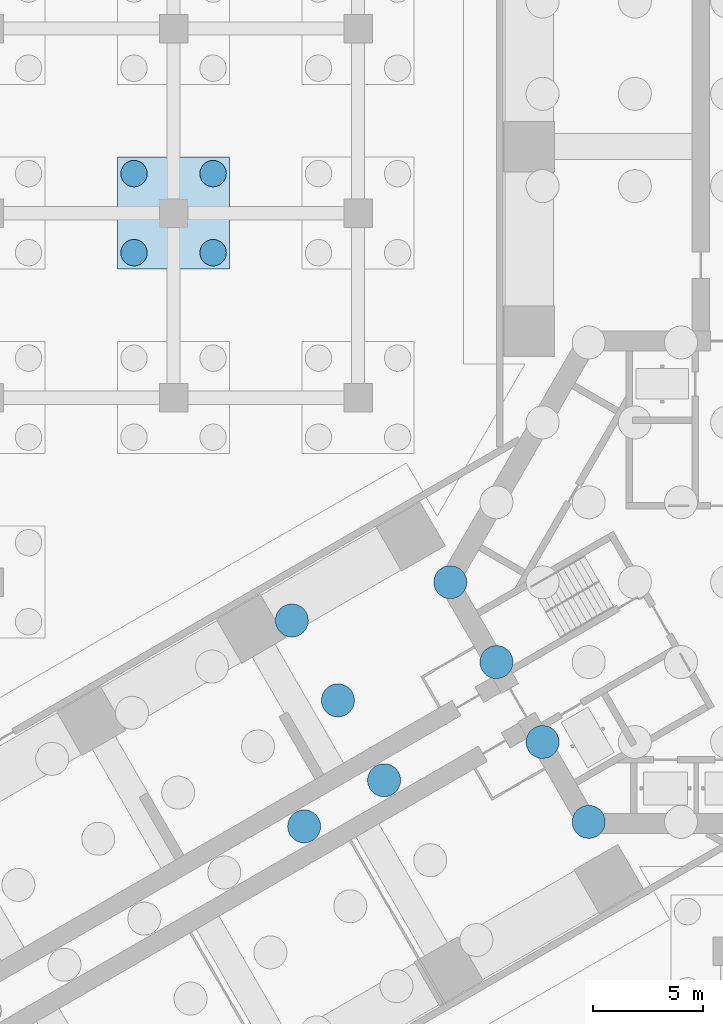
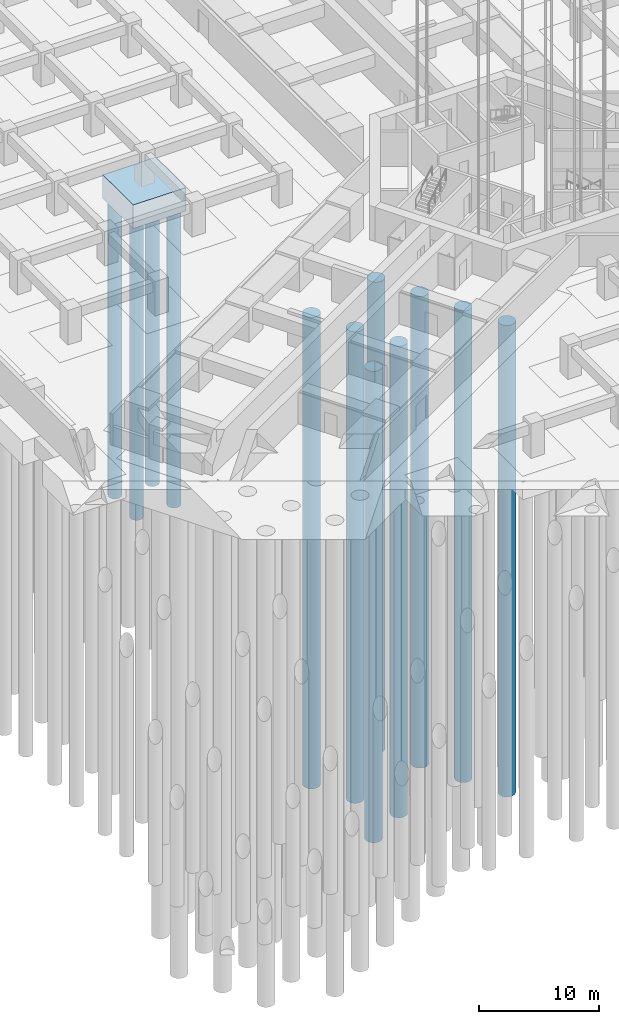
# One storey, part 15 of 73: 12 piles, 1 footing.
"""IFC4 building model written with IfcOpenShell, lengths in metres."""

from ifc_helpers import new_model, si_unit, direction, frame, origin, origin_2d, place, context, subcontext, project, spatial, polyline, circle, outline, extrude, material, material_profile, profile_set, type_object, element, save


model = new_model("IFC4")

# Units and contexts
model_context = context("Model", 3, precision=1e-05, world=origin(), true_north=direction((0.0, 1.0)))
body_context = subcontext(model_context, "Body", "Model", "MODEL_VIEW")
ifc_project = project(units=[si_unit("LENGTHUNIT", "METRE"), si_unit("AREAUNIT", "SQUARE_METRE"), si_unit("VOLUMEUNIT", "CUBIC_METRE"), si_unit("PLANEANGLEUNIT", "RADIAN"), si_unit("MASSUNIT", "GRAM", prefix="KILO")], contexts=[model_context])

# Site, building, storey
site_placement = place(None, origin())
site = spatial("IfcSite", under=ifc_project, at=site_placement, CompositionType="ELEMENT")
building_placement = place(site_placement, origin())
building = spatial("IfcBuilding", under=site, at=building_placement, Name="Impinga Residences", CompositionType="ELEMENT")
storey_placement = place(building_placement, frame((0.0, 0.0, -10.5)))
storey = spatial("IfcBuildingStorey", under=building, at=storey_placement, Name="B3", CompositionType="ELEMENT", Elevation=-10.5)

# Piles
ifc_material_1 = material(Name="Concrete C35/45", Category="concrete")
ifc_material_profile_1 = material_profile(ifc_material_1, circle(Radius=0.75, at=origin_2d()), Name="D1500")
ifc_profile_set_1 = profile_set([ifc_material_profile_1], Name="Concrete C35/45")
pile_type_1 = type_object("IfcPileType", Name="BP1 bored pile D1500", PredefinedType="BORED", material=ifc_profile_set_1)
pile_1_placement = place(storey_placement, frame((-19.253173828125, -11.11572265625, -4.0), z_axis=(0.0, 0.0, -1.0), x_axis=(1.0, 0.0, 0.0)))
element("IfcPile", 1, at=pile_1_placement, inside=storey, type_object=pile_type_1, Name="Raft pile BP1-057", PredefinedType="BORED", context=body_context, shape_type="SweptSolid", body=[
    extrude(outline(polyline([(0.75, 0.0), (0.746337890625, 0.073486328125), (0.735595703125, 0.146240234375), (0.7177734375, 0.2177734375), (0.69287109375, 0.287109375), (0.661376953125, 0.353515625), (0.62353515625, 0.416748046875), (0.579833984375, 0.475830078125), (0.5302734375, 0.5302734375), (0.475830078125, 0.579833984375), (0.416748046875, 0.62353515625), (0.353515625, 0.661376953125), (0.287109375, 0.69287109375), (0.2177734375, 0.7177734375), (0.146240234375, 0.735595703125), (0.073486328125, 0.746337890625), (0.0, 0.75), (-0.073486328125, 0.746337890625), (-0.146240234375, 0.735595703125), (-0.2177734375, 0.7177734375), (-0.287109375, 0.69287109375), (-0.353515625, 0.661376953125), (-0.416748046875, 0.62353515625), (-0.475830078125, 0.579833984375), (-0.5302734375, 0.5302734375), (-0.579833984375, 0.475830078125), (-0.62353515625, 0.416748046875), (-0.661376953125, 0.353515625), (-0.69287109375, 0.287109375), (-0.7177734375, 0.2177734375), (-0.735595703125, 0.146240234375), (-0.746337890625, 0.073486328125), (-0.75, 0.0), (-0.746337890625, -0.073486328125), (-0.735595703125, -0.146240234375), (-0.7177734375, -0.2177734375), (-0.69287109375, -0.287109375), (-0.661376953125, -0.353515625), (-0.62353515625, -0.416748046875), (-0.579833984375, -0.475830078125), (-0.5302734375, -0.5302734375), (-0.475830078125, -0.579833984375), (-0.416748046875, -0.62353515625), (-0.353515625, -0.661376953125), (-0.287109375, -0.69287109375), (-0.2177734375, -0.7177734375), (-0.146240234375, -0.735595703125), (-0.073486328125, -0.746337890625), (0.0, -0.75), (0.073486328125, -0.746337890625), (0.146240234375, -0.735595703125), (0.2177734375, -0.7177734375), (0.287109375, -0.69287109375), (0.353515625, -0.661376953125), (0.416748046875, -0.62353515625), (0.475830078125, -0.579833984375), (0.5302734375, -0.5302734375), (0.579833984375, -0.475830078125), (0.62353515625, -0.416748046875), (0.661376953125, -0.353515625), (0.69287109375, -0.287109375), (0.7177734375, -0.2177734375), (0.735595703125, -0.146240234375), (0.746337890625, -0.073486328125), (0.75, 0.0)])), origin(), (0.0, 0.0, 1.0), 48.0),
])
pile_2_placement = place(storey_placement, frame((-6.300048828125, -10.911865234375, -4.0), z_axis=(0.0, 0.0, -1.0), x_axis=(1.0, 0.0, 0.0)))
element("IfcPile", 2, at=pile_2_placement, inside=storey, type_object=pile_type_1, Name="Raft pile BP1-059", PredefinedType="BORED", context=body_context, shape_type="SweptSolid", body=[
    extrude(outline(polyline([(0.75, 0.0), (0.746337890625, 0.073486328125), (0.735595703125, 0.146240234375), (0.7177734375, 0.2177734375), (0.69287109375, 0.287109375), (0.661376953125, 0.353515625), (0.62353515625, 0.416748046875), (0.579833984375, 0.475830078125), (0.5302734375, 0.5302734375), (0.475830078125, 0.579833984375), (0.416748046875, 0.62353515625), (0.353515625, 0.661376953125), (0.287109375, 0.69287109375), (0.2177734375, 0.7177734375), (0.146240234375, 0.735595703125), (0.073486328125, 0.746337890625), (0.0, 0.75), (-0.073486328125, 0.746337890625), (-0.146240234375, 0.735595703125), (-0.2177734375, 0.7177734375), (-0.287109375, 0.69287109375), (-0.353515625, 0.661376953125), (-0.416748046875, 0.62353515625), (-0.475830078125, 0.579833984375), (-0.5302734375, 0.5302734375), (-0.579833984375, 0.475830078125), (-0.62353515625, 0.416748046875), (-0.661376953125, 0.353515625), (-0.69287109375, 0.287109375), (-0.7177734375, 0.2177734375), (-0.735595703125, 0.146240234375), (-0.746337890625, 0.073486328125), (-0.75, 0.0), (-0.746337890625, -0.073486328125), (-0.735595703125, -0.146240234375), (-0.7177734375, -0.2177734375), (-0.69287109375, -0.287109375), (-0.661376953125, -0.353515625), (-0.62353515625, -0.416748046875), (-0.579833984375, -0.475830078125), (-0.5302734375, -0.5302734375), (-0.475830078125, -0.579833984375), (-0.416748046875, -0.62353515625), (-0.353515625, -0.661376953125), (-0.287109375, -0.69287109375), (-0.2177734375, -0.7177734375), (-0.146240234375, -0.735595703125), (-0.073486328125, -0.746337890625), (0.0, -0.75), (0.073486328125, -0.746337890625), (0.146240234375, -0.735595703125), (0.2177734375, -0.7177734375), (0.287109375, -0.69287109375), (0.353515625, -0.661376953125), (0.416748046875, -0.62353515625), (0.475830078125, -0.579833984375), (0.5302734375, -0.5302734375), (0.579833984375, -0.475830078125), (0.62353515625, -0.416748046875), (0.661376953125, -0.353515625), (0.69287109375, -0.287109375), (0.7177734375, -0.2177734375), (0.735595703125, -0.146240234375), (0.746337890625, -0.073486328125), (0.75, 0.0)])), origin(), (0.0, 0.0, 1.0), 48.0),
])
pile_3_placement = place(storey_placement, frame((-15.61572265625, -9.015869140625, -4.0), z_axis=(0.0, 0.0, -1.0), x_axis=(1.0, 0.0, 0.0)))
element("IfcPile", 3, at=pile_3_placement, inside=storey, type_object=pile_type_1, Name="Raft pile BP1-067", PredefinedType="BORED", context=body_context, shape_type="SweptSolid", body=[
    extrude(outline(polyline([(0.75, 0.0), (0.746337890625, 0.073486328125), (0.735595703125, 0.146240234375), (0.7177734375, 0.2177734375), (0.69287109375, 0.287109375), (0.661376953125, 0.353515625), (0.62353515625, 0.416748046875), (0.579833984375, 0.475830078125), (0.5302734375, 0.5302734375), (0.475830078125, 0.579833984375), (0.416748046875, 0.62353515625), (0.353515625, 0.661376953125), (0.287109375, 0.69287109375), (0.2177734375, 0.7177734375), (0.146240234375, 0.735595703125), (0.073486328125, 0.746337890625), (0.0, 0.75), (-0.073486328125, 0.746337890625), (-0.146240234375, 0.735595703125), (-0.2177734375, 0.7177734375), (-0.287109375, 0.69287109375), (-0.353515625, 0.661376953125), (-0.416748046875, 0.62353515625), (-0.475830078125, 0.579833984375), (-0.5302734375, 0.5302734375), (-0.579833984375, 0.475830078125), (-0.62353515625, 0.416748046875), (-0.661376953125, 0.353515625), (-0.69287109375, 0.287109375), (-0.7177734375, 0.2177734375), (-0.735595703125, 0.146240234375), (-0.746337890625, 0.073486328125), (-0.75, 0.0), (-0.746337890625, -0.073486328125), (-0.735595703125, -0.146240234375), (-0.7177734375, -0.2177734375), (-0.69287109375, -0.287109375), (-0.661376953125, -0.353515625), (-0.62353515625, -0.416748046875), (-0.579833984375, -0.475830078125), (-0.5302734375, -0.5302734375), (-0.475830078125, -0.579833984375), (-0.416748046875, -0.62353515625), (-0.353515625, -0.661376953125), (-0.287109375, -0.69287109375), (-0.2177734375, -0.7177734375), (-0.146240234375, -0.735595703125), (-0.073486328125, -0.746337890625), (0.0, -0.75), (0.073486328125, -0.746337890625), (0.146240234375, -0.735595703125), (0.2177734375, -0.7177734375), (0.287109375, -0.69287109375), (0.353515625, -0.661376953125), (0.416748046875, -0.62353515625), (0.475830078125, -0.579833984375), (0.5302734375, -0.5302734375), (0.579833984375, -0.475830078125), (0.62353515625, -0.416748046875), (0.661376953125, -0.353515625), (0.69287109375, -0.287109375), (0.7177734375, -0.2177734375), (0.735595703125, -0.146240234375), (0.746337890625, -0.073486328125), (0.75, 0.0)])), origin(), (0.0, 0.0, 1.0), 48.0),
])
pile_4_placement = place(storey_placement, frame((-8.39990234375, -7.274658203125, -4.0), z_axis=(0.0, 0.0, -1.0), x_axis=(1.0, 0.0, 0.0)))
element("IfcPile", 4, at=pile_4_placement, inside=storey, type_object=pile_type_1, Name="Raft pile BP1-073", PredefinedType="BORED", context=body_context, shape_type="SweptSolid", body=[
    extrude(outline(polyline([(0.75, 0.0), (0.746337890625, 0.073486328125), (0.735595703125, 0.146240234375), (0.7177734375, 0.2177734375), (0.69287109375, 0.287109375), (0.661376953125, 0.353515625), (0.62353515625, 0.416748046875), (0.579833984375, 0.475830078125), (0.5302734375, 0.5302734375), (0.475830078125, 0.579833984375), (0.416748046875, 0.62353515625), (0.353515625, 0.661376953125), (0.287109375, 0.69287109375), (0.2177734375, 0.7177734375), (0.146240234375, 0.735595703125), (0.073486328125, 0.746337890625), (0.0, 0.75), (-0.073486328125, 0.746337890625), (-0.146240234375, 0.735595703125), (-0.2177734375, 0.7177734375), (-0.287109375, 0.69287109375), (-0.353515625, 0.661376953125), (-0.416748046875, 0.62353515625), (-0.475830078125, 0.579833984375), (-0.5302734375, 0.5302734375), (-0.579833984375, 0.475830078125), (-0.62353515625, 0.416748046875), (-0.661376953125, 0.353515625), (-0.69287109375, 0.287109375), (-0.7177734375, 0.2177734375), (-0.735595703125, 0.146240234375), (-0.746337890625, 0.073486328125), (-0.75, 0.0), (-0.746337890625, -0.073486328125), (-0.735595703125, -0.146240234375), (-0.7177734375, -0.2177734375), (-0.69287109375, -0.287109375), (-0.661376953125, -0.353515625), (-0.62353515625, -0.416748046875), (-0.579833984375, -0.475830078125), (-0.5302734375, -0.5302734375), (-0.475830078125, -0.579833984375), (-0.416748046875, -0.62353515625), (-0.353515625, -0.661376953125), (-0.287109375, -0.69287109375), (-0.2177734375, -0.7177734375), (-0.146240234375, -0.735595703125), (-0.073486328125, -0.746337890625), (0.0, -0.75), (0.073486328125, -0.746337890625), (0.146240234375, -0.735595703125), (0.2177734375, -0.7177734375), (0.287109375, -0.69287109375), (0.353515625, -0.661376953125), (0.416748046875, -0.62353515625), (0.475830078125, -0.579833984375), (0.5302734375, -0.5302734375), (0.579833984375, -0.475830078125), (0.62353515625, -0.416748046875), (0.661376953125, -0.353515625), (0.69287109375, -0.287109375), (0.7177734375, -0.2177734375), (0.735595703125, -0.146240234375), (0.746337890625, -0.073486328125), (0.75, 0.0)])), origin(), (0.0, 0.0, 1.0), 48.0),
])
pile_5_placement = place(storey_placement, frame((-17.7158203125, -5.37841796875, -4.0), z_axis=(0.0, 0.0, -1.0), x_axis=(1.0, 0.0, 0.0)))
element("IfcPile", 5, at=pile_5_placement, inside=storey, type_object=pile_type_1, Name="Raft pile BP1-080", PredefinedType="BORED", context=body_context, shape_type="SweptSolid", body=[
    extrude(outline(polyline([(0.75, 0.0), (0.746337890625, 0.073486328125), (0.735595703125, 0.146240234375), (0.7177734375, 0.2177734375), (0.69287109375, 0.287109375), (0.661376953125, 0.353515625), (0.62353515625, 0.416748046875), (0.579833984375, 0.475830078125), (0.5302734375, 0.5302734375), (0.475830078125, 0.579833984375), (0.416748046875, 0.62353515625), (0.353515625, 0.661376953125), (0.287109375, 0.69287109375), (0.2177734375, 0.7177734375), (0.146240234375, 0.735595703125), (0.073486328125, 0.746337890625), (0.0, 0.75), (-0.073486328125, 0.746337890625), (-0.146240234375, 0.735595703125), (-0.2177734375, 0.7177734375), (-0.287109375, 0.69287109375), (-0.353515625, 0.661376953125), (-0.416748046875, 0.62353515625), (-0.475830078125, 0.579833984375), (-0.5302734375, 0.5302734375), (-0.579833984375, 0.475830078125), (-0.62353515625, 0.416748046875), (-0.661376953125, 0.353515625), (-0.69287109375, 0.287109375), (-0.7177734375, 0.2177734375), (-0.735595703125, 0.146240234375), (-0.746337890625, 0.073486328125), (-0.75, 0.0), (-0.746337890625, -0.073486328125), (-0.735595703125, -0.146240234375), (-0.7177734375, -0.2177734375), (-0.69287109375, -0.287109375), (-0.661376953125, -0.353515625), (-0.62353515625, -0.416748046875), (-0.579833984375, -0.475830078125), (-0.5302734375, -0.5302734375), (-0.475830078125, -0.579833984375), (-0.416748046875, -0.62353515625), (-0.353515625, -0.661376953125), (-0.287109375, -0.69287109375), (-0.2177734375, -0.7177734375), (-0.146240234375, -0.735595703125), (-0.073486328125, -0.746337890625), (0.0, -0.75), (0.073486328125, -0.746337890625), (0.146240234375, -0.735595703125), (0.2177734375, -0.7177734375), (0.287109375, -0.69287109375), (0.353515625, -0.661376953125), (0.416748046875, -0.62353515625), (0.475830078125, -0.579833984375), (0.5302734375, -0.5302734375), (0.579833984375, -0.475830078125), (0.62353515625, -0.416748046875), (0.661376953125, -0.353515625), (0.69287109375, -0.287109375), (0.7177734375, -0.2177734375), (0.735595703125, -0.146240234375), (0.746337890625, -0.073486328125), (0.75, 0.0)])), origin(), (0.0, 0.0, 1.0), 48.0),
])
pile_6_placement = place(storey_placement, frame((-10.5, -3.63720703125, -4.0), z_axis=(0.0, 0.0, -1.0), x_axis=(1.0, 0.0, 0.0)))
element("IfcPile", 6, at=pile_6_placement, inside=storey, type_object=pile_type_1, Name="Raft pile BP1-084", PredefinedType="BORED", context=body_context, shape_type="SweptSolid", body=[
    extrude(outline(polyline([(0.75, 0.0), (0.746337890625, 0.073486328125), (0.735595703125, 0.146240234375), (0.7177734375, 0.2177734375), (0.69287109375, 0.287109375), (0.661376953125, 0.353515625), (0.62353515625, 0.416748046875), (0.579833984375, 0.475830078125), (0.5302734375, 0.5302734375), (0.475830078125, 0.579833984375), (0.416748046875, 0.62353515625), (0.353515625, 0.661376953125), (0.287109375, 0.69287109375), (0.2177734375, 0.7177734375), (0.146240234375, 0.735595703125), (0.073486328125, 0.746337890625), (0.0, 0.75), (-0.073486328125, 0.746337890625), (-0.146240234375, 0.735595703125), (-0.2177734375, 0.7177734375), (-0.287109375, 0.69287109375), (-0.353515625, 0.661376953125), (-0.416748046875, 0.62353515625), (-0.475830078125, 0.579833984375), (-0.5302734375, 0.5302734375), (-0.579833984375, 0.475830078125), (-0.62353515625, 0.416748046875), (-0.661376953125, 0.353515625), (-0.69287109375, 0.287109375), (-0.7177734375, 0.2177734375), (-0.735595703125, 0.146240234375), (-0.746337890625, 0.073486328125), (-0.75, 0.0), (-0.746337890625, -0.073486328125), (-0.735595703125, -0.146240234375), (-0.7177734375, -0.2177734375), (-0.69287109375, -0.287109375), (-0.661376953125, -0.353515625), (-0.62353515625, -0.416748046875), (-0.579833984375, -0.475830078125), (-0.5302734375, -0.5302734375), (-0.475830078125, -0.579833984375), (-0.416748046875, -0.62353515625), (-0.353515625, -0.661376953125), (-0.287109375, -0.69287109375), (-0.2177734375, -0.7177734375), (-0.146240234375, -0.735595703125), (-0.073486328125, -0.746337890625), (0.0, -0.75), (0.073486328125, -0.746337890625), (0.146240234375, -0.735595703125), (0.2177734375, -0.7177734375), (0.287109375, -0.69287109375), (0.353515625, -0.661376953125), (0.416748046875, -0.62353515625), (0.475830078125, -0.579833984375), (0.5302734375, -0.5302734375), (0.579833984375, -0.475830078125), (0.62353515625, -0.416748046875), (0.661376953125, -0.353515625), (0.69287109375, -0.287109375), (0.7177734375, -0.2177734375), (0.735595703125, -0.146240234375), (0.746337890625, -0.073486328125), (0.75, 0.0)])), origin(), (0.0, 0.0, 1.0), 48.0),
])
pile_7_placement = place(storey_placement, frame((-19.815673828125, -1.7412109375, -4.0), z_axis=(0.0, 0.0, -1.0), x_axis=(1.0, 0.0, 0.0)))
element("IfcPile", 7, at=pile_7_placement, inside=storey, type_object=pile_type_1, Name="Raft pile BP1-090", PredefinedType="BORED", context=body_context, shape_type="SweptSolid", body=[
    extrude(outline(polyline([(0.75, 0.0), (0.746337890625, 0.073486328125), (0.735595703125, 0.146240234375), (0.7177734375, 0.2177734375), (0.69287109375, 0.287109375), (0.661376953125, 0.353515625), (0.62353515625, 0.416748046875), (0.579833984375, 0.475830078125), (0.5302734375, 0.5302734375), (0.475830078125, 0.579833984375), (0.416748046875, 0.62353515625), (0.353515625, 0.661376953125), (0.287109375, 0.69287109375), (0.2177734375, 0.7177734375), (0.146240234375, 0.735595703125), (0.073486328125, 0.746337890625), (0.0, 0.75), (-0.073486328125, 0.746337890625), (-0.146240234375, 0.735595703125), (-0.2177734375, 0.7177734375), (-0.287109375, 0.69287109375), (-0.353515625, 0.661376953125), (-0.416748046875, 0.62353515625), (-0.475830078125, 0.579833984375), (-0.5302734375, 0.5302734375), (-0.579833984375, 0.475830078125), (-0.62353515625, 0.416748046875), (-0.661376953125, 0.353515625), (-0.69287109375, 0.287109375), (-0.7177734375, 0.2177734375), (-0.735595703125, 0.146240234375), (-0.746337890625, 0.073486328125), (-0.75, 0.0), (-0.746337890625, -0.073486328125), (-0.735595703125, -0.146240234375), (-0.7177734375, -0.2177734375), (-0.69287109375, -0.287109375), (-0.661376953125, -0.353515625), (-0.62353515625, -0.416748046875), (-0.579833984375, -0.475830078125), (-0.5302734375, -0.5302734375), (-0.475830078125, -0.579833984375), (-0.416748046875, -0.62353515625), (-0.353515625, -0.661376953125), (-0.287109375, -0.69287109375), (-0.2177734375, -0.7177734375), (-0.146240234375, -0.735595703125), (-0.073486328125, -0.746337890625), (0.0, -0.75), (0.073486328125, -0.746337890625), (0.146240234375, -0.735595703125), (0.2177734375, -0.7177734375), (0.287109375, -0.69287109375), (0.353515625, -0.661376953125), (0.416748046875, -0.62353515625), (0.475830078125, -0.579833984375), (0.5302734375, -0.5302734375), (0.579833984375, -0.475830078125), (0.62353515625, -0.416748046875), (0.661376953125, -0.353515625), (0.69287109375, -0.287109375), (0.7177734375, -0.2177734375), (0.735595703125, -0.146240234375), (0.746337890625, -0.073486328125), (0.75, 0.0)])), origin(), (0.0, 0.0, 1.0), 48.0),
])
pile_8_placement = place(storey_placement, frame((-12.60009765625, 0.0, -4.0), z_axis=(0.0, 0.0, -1.0), x_axis=(1.0, 0.0, 0.0)))
element("IfcPile", 8, at=pile_8_placement, inside=storey, type_object=pile_type_1, Name="Raft pile BP1-092", PredefinedType="BORED", context=body_context, shape_type="SweptSolid", body=[
    extrude(outline(polyline([(0.75, 0.0), (0.746337890625, 0.073486328125), (0.735595703125, 0.146240234375), (0.7177734375, 0.2177734375), (0.69287109375, 0.287109375), (0.661376953125, 0.353515625), (0.62353515625, 0.416748046875), (0.579833984375, 0.475830078125), (0.5302734375, 0.5302734375), (0.475830078125, 0.579833984375), (0.416748046875, 0.62353515625), (0.353515625, 0.661376953125), (0.287109375, 0.69287109375), (0.2177734375, 0.7177734375), (0.146240234375, 0.735595703125), (0.073486328125, 0.746337890625), (0.0, 0.75), (-0.073486328125, 0.746337890625), (-0.146240234375, 0.735595703125), (-0.2177734375, 0.7177734375), (-0.287109375, 0.69287109375), (-0.353515625, 0.661376953125), (-0.416748046875, 0.62353515625), (-0.475830078125, 0.579833984375), (-0.5302734375, 0.5302734375), (-0.579833984375, 0.475830078125), (-0.62353515625, 0.416748046875), (-0.661376953125, 0.353515625), (-0.69287109375, 0.287109375), (-0.7177734375, 0.2177734375), (-0.735595703125, 0.146240234375), (-0.746337890625, 0.073486328125), (-0.75, 0.0), (-0.746337890625, -0.073486328125), (-0.735595703125, -0.146240234375), (-0.7177734375, -0.2177734375), (-0.69287109375, -0.287109375), (-0.661376953125, -0.353515625), (-0.62353515625, -0.416748046875), (-0.579833984375, -0.475830078125), (-0.5302734375, -0.5302734375), (-0.475830078125, -0.579833984375), (-0.416748046875, -0.62353515625), (-0.353515625, -0.661376953125), (-0.287109375, -0.69287109375), (-0.2177734375, -0.7177734375), (-0.146240234375, -0.735595703125), (-0.073486328125, -0.746337890625), (0.0, -0.75), (0.073486328125, -0.746337890625), (0.146240234375, -0.735595703125), (0.2177734375, -0.7177734375), (0.287109375, -0.69287109375), (0.353515625, -0.661376953125), (0.416748046875, -0.62353515625), (0.475830078125, -0.579833984375), (0.5302734375, -0.5302734375), (0.579833984375, -0.475830078125), (0.62353515625, -0.416748046875), (0.661376953125, -0.353515625), (0.69287109375, -0.287109375), (0.7177734375, -0.2177734375), (0.735595703125, -0.146240234375), (0.746337890625, -0.073486328125), (0.75, 0.0)])), origin(), (0.0, 0.0, 1.0), 48.0),
])
ifc_material_profile_2 = material_profile(ifc_material_1, circle(Radius=0.60009765625, at=origin_2d()), Name="D1200")
ifc_profile_set_2 = profile_set([ifc_material_profile_2], Name="Concrete C35/45")
pile_type_2 = type_object("IfcPileType", Name="BP2 bored pile D1200", PredefinedType="BORED", material=ifc_profile_set_2)
pile_9_placement = place(storey_placement, frame((-27.0, 15.0, -2.39990234375), z_axis=(0.0, 0.0, -1.0), x_axis=(1.0, 0.0, 0.0)))
element("IfcPile", 9, at=pile_9_placement, inside=storey, type_object=pile_type_2, Name="Cap pile BP2 4/H-1", PredefinedType="BORED", context=body_context, shape_type="SweptSolid", body=[
    extrude(outline(polyline([(0.60009765625, 0.0), (0.59716796875, 0.058837890625), (0.58837890625, 0.116943359375), (0.57421875, 0.174072265625), (0.554443359375, 0.2294921875), (0.529052734375, 0.282958984375), (0.498779296875, 0.333251953125), (0.4638671875, 0.380615234375), (0.42431640625, 0.42431640625), (0.380615234375, 0.4638671875), (0.333251953125, 0.498779296875), (0.282958984375, 0.529052734375), (0.2294921875, 0.554443359375), (0.174072265625, 0.57421875), (0.116943359375, 0.58837890625), (0.058837890625, 0.59716796875), (0.0, 0.60009765625), (-0.058837890625, 0.59716796875), (-0.116943359375, 0.58837890625), (-0.174072265625, 0.57421875), (-0.2294921875, 0.554443359375), (-0.282958984375, 0.529052734375), (-0.333251953125, 0.498779296875), (-0.380615234375, 0.4638671875), (-0.42431640625, 0.42431640625), (-0.4638671875, 0.380615234375), (-0.498779296875, 0.333251953125), (-0.529052734375, 0.282958984375), (-0.554443359375, 0.2294921875), (-0.57421875, 0.174072265625), (-0.58837890625, 0.116943359375), (-0.59716796875, 0.058837890625), (-0.60009765625, 0.0), (-0.59716796875, -0.058837890625), (-0.58837890625, -0.116943359375), (-0.57421875, -0.174072265625), (-0.554443359375, -0.2294921875), (-0.529052734375, -0.282958984375), (-0.498779296875, -0.333251953125), (-0.4638671875, -0.380615234375), (-0.42431640625, -0.42431640625), (-0.380615234375, -0.4638671875), (-0.333251953125, -0.498779296875), (-0.282958984375, -0.529052734375), (-0.2294921875, -0.554443359375), (-0.174072265625, -0.57421875), (-0.116943359375, -0.58837890625), (-0.058837890625, -0.59716796875), (0.0, -0.60009765625), (0.058837890625, -0.59716796875), (0.116943359375, -0.58837890625), (0.174072265625, -0.57421875), (0.2294921875, -0.554443359375), (0.282958984375, -0.529052734375), (0.333251953125, -0.498779296875), (0.380615234375, -0.4638671875), (0.42431640625, -0.42431640625), (0.4638671875, -0.380615234375), (0.498779296875, -0.333251953125), (0.529052734375, -0.282958984375), (0.554443359375, -0.2294921875), (0.57421875, -0.174072265625), (0.58837890625, -0.116943359375), (0.59716796875, -0.058837890625), (0.60009765625, 0.0)])), origin(), (0.0, 0.0, 1.0), 30.0),
])
pile_10_placement = place(storey_placement, frame((-23.39990234375, 15.0, -2.39990234375), z_axis=(0.0, 0.0, -1.0), x_axis=(1.0, 0.0, 0.0)))
element("IfcPile", 10, at=pile_10_placement, inside=storey, type_object=pile_type_2, Name="Cap pile BP2 4/H-2", PredefinedType="BORED", context=body_context, shape_type="SweptSolid", body=[
    extrude(outline(polyline([(0.60009765625, 0.0), (0.59716796875, 0.058837890625), (0.58837890625, 0.116943359375), (0.57421875, 0.174072265625), (0.554443359375, 0.2294921875), (0.529052734375, 0.282958984375), (0.498779296875, 0.333251953125), (0.4638671875, 0.380615234375), (0.42431640625, 0.42431640625), (0.380615234375, 0.4638671875), (0.333251953125, 0.498779296875), (0.282958984375, 0.529052734375), (0.2294921875, 0.554443359375), (0.174072265625, 0.57421875), (0.116943359375, 0.58837890625), (0.058837890625, 0.59716796875), (0.0, 0.60009765625), (-0.058837890625, 0.59716796875), (-0.116943359375, 0.58837890625), (-0.174072265625, 0.57421875), (-0.2294921875, 0.554443359375), (-0.282958984375, 0.529052734375), (-0.333251953125, 0.498779296875), (-0.380615234375, 0.4638671875), (-0.42431640625, 0.42431640625), (-0.4638671875, 0.380615234375), (-0.498779296875, 0.333251953125), (-0.529052734375, 0.282958984375), (-0.554443359375, 0.2294921875), (-0.57421875, 0.174072265625), (-0.58837890625, 0.116943359375), (-0.59716796875, 0.058837890625), (-0.60009765625, 0.0), (-0.59716796875, -0.058837890625), (-0.58837890625, -0.116943359375), (-0.57421875, -0.174072265625), (-0.554443359375, -0.2294921875), (-0.529052734375, -0.282958984375), (-0.498779296875, -0.333251953125), (-0.4638671875, -0.380615234375), (-0.42431640625, -0.42431640625), (-0.380615234375, -0.4638671875), (-0.333251953125, -0.498779296875), (-0.282958984375, -0.529052734375), (-0.2294921875, -0.554443359375), (-0.174072265625, -0.57421875), (-0.116943359375, -0.58837890625), (-0.058837890625, -0.59716796875), (0.0, -0.60009765625), (0.058837890625, -0.59716796875), (0.116943359375, -0.58837890625), (0.174072265625, -0.57421875), (0.2294921875, -0.554443359375), (0.282958984375, -0.529052734375), (0.333251953125, -0.498779296875), (0.380615234375, -0.4638671875), (0.42431640625, -0.42431640625), (0.4638671875, -0.380615234375), (0.498779296875, -0.333251953125), (0.529052734375, -0.282958984375), (0.554443359375, -0.2294921875), (0.57421875, -0.174072265625), (0.58837890625, -0.116943359375), (0.59716796875, -0.058837890625), (0.60009765625, 0.0)])), origin(), (0.0, 0.0, 1.0), 30.0),
])
pile_11_placement = place(storey_placement, frame((-23.39990234375, 18.60009765625, -2.39990234375), z_axis=(0.0, 0.0, -1.0), x_axis=(1.0, 0.0, 0.0)))
element("IfcPile", 11, at=pile_11_placement, inside=storey, type_object=pile_type_2, Name="Cap pile BP2 4/H-3", PredefinedType="BORED", context=body_context, shape_type="SweptSolid", body=[
    extrude(outline(polyline([(0.60009765625, 0.0), (0.59716796875, 0.058837890625), (0.58837890625, 0.116943359375), (0.57421875, 0.174072265625), (0.554443359375, 0.2294921875), (0.529052734375, 0.282958984375), (0.498779296875, 0.333251953125), (0.4638671875, 0.380615234375), (0.42431640625, 0.42431640625), (0.380615234375, 0.4638671875), (0.333251953125, 0.498779296875), (0.282958984375, 0.529052734375), (0.2294921875, 0.554443359375), (0.174072265625, 0.57421875), (0.116943359375, 0.58837890625), (0.058837890625, 0.59716796875), (0.0, 0.60009765625), (-0.058837890625, 0.59716796875), (-0.116943359375, 0.58837890625), (-0.174072265625, 0.57421875), (-0.2294921875, 0.554443359375), (-0.282958984375, 0.529052734375), (-0.333251953125, 0.498779296875), (-0.380615234375, 0.4638671875), (-0.42431640625, 0.42431640625), (-0.4638671875, 0.380615234375), (-0.498779296875, 0.333251953125), (-0.529052734375, 0.282958984375), (-0.554443359375, 0.2294921875), (-0.57421875, 0.174072265625), (-0.58837890625, 0.116943359375), (-0.59716796875, 0.058837890625), (-0.60009765625, 0.0), (-0.59716796875, -0.058837890625), (-0.58837890625, -0.116943359375), (-0.57421875, -0.174072265625), (-0.554443359375, -0.2294921875), (-0.529052734375, -0.282958984375), (-0.498779296875, -0.333251953125), (-0.4638671875, -0.380615234375), (-0.42431640625, -0.42431640625), (-0.380615234375, -0.4638671875), (-0.333251953125, -0.498779296875), (-0.282958984375, -0.529052734375), (-0.2294921875, -0.554443359375), (-0.174072265625, -0.57421875), (-0.116943359375, -0.58837890625), (-0.058837890625, -0.59716796875), (0.0, -0.60009765625), (0.058837890625, -0.59716796875), (0.116943359375, -0.58837890625), (0.174072265625, -0.57421875), (0.2294921875, -0.554443359375), (0.282958984375, -0.529052734375), (0.333251953125, -0.498779296875), (0.380615234375, -0.4638671875), (0.42431640625, -0.42431640625), (0.4638671875, -0.380615234375), (0.498779296875, -0.333251953125), (0.529052734375, -0.282958984375), (0.554443359375, -0.2294921875), (0.57421875, -0.174072265625), (0.58837890625, -0.116943359375), (0.59716796875, -0.058837890625), (0.60009765625, 0.0)])), origin(), (0.0, 0.0, 1.0), 30.0),
])
pile_12_placement = place(storey_placement, frame((-27.0, 18.60009765625, -2.39990234375), z_axis=(0.0, 0.0, -1.0), x_axis=(1.0, 0.0, 0.0)))
element("IfcPile", 12, at=pile_12_placement, inside=storey, type_object=pile_type_2, Name="Cap pile BP2 4/H-4", PredefinedType="BORED", context=body_context, shape_type="SweptSolid", body=[
    extrude(outline(polyline([(0.60009765625, 0.0), (0.59716796875, 0.058837890625), (0.58837890625, 0.116943359375), (0.57421875, 0.174072265625), (0.554443359375, 0.2294921875), (0.529052734375, 0.282958984375), (0.498779296875, 0.333251953125), (0.4638671875, 0.380615234375), (0.42431640625, 0.42431640625), (0.380615234375, 0.4638671875), (0.333251953125, 0.498779296875), (0.282958984375, 0.529052734375), (0.2294921875, 0.554443359375), (0.174072265625, 0.57421875), (0.116943359375, 0.58837890625), (0.058837890625, 0.59716796875), (0.0, 0.60009765625), (-0.058837890625, 0.59716796875), (-0.116943359375, 0.58837890625), (-0.174072265625, 0.57421875), (-0.2294921875, 0.554443359375), (-0.282958984375, 0.529052734375), (-0.333251953125, 0.498779296875), (-0.380615234375, 0.4638671875), (-0.42431640625, 0.42431640625), (-0.4638671875, 0.380615234375), (-0.498779296875, 0.333251953125), (-0.529052734375, 0.282958984375), (-0.554443359375, 0.2294921875), (-0.57421875, 0.174072265625), (-0.58837890625, 0.116943359375), (-0.59716796875, 0.058837890625), (-0.60009765625, 0.0), (-0.59716796875, -0.058837890625), (-0.58837890625, -0.116943359375), (-0.57421875, -0.174072265625), (-0.554443359375, -0.2294921875), (-0.529052734375, -0.282958984375), (-0.498779296875, -0.333251953125), (-0.4638671875, -0.380615234375), (-0.42431640625, -0.42431640625), (-0.380615234375, -0.4638671875), (-0.333251953125, -0.498779296875), (-0.282958984375, -0.529052734375), (-0.2294921875, -0.554443359375), (-0.174072265625, -0.57421875), (-0.116943359375, -0.58837890625), (-0.058837890625, -0.59716796875), (0.0, -0.60009765625), (0.058837890625, -0.59716796875), (0.116943359375, -0.58837890625), (0.174072265625, -0.57421875), (0.2294921875, -0.554443359375), (0.282958984375, -0.529052734375), (0.333251953125, -0.498779296875), (0.380615234375, -0.4638671875), (0.42431640625, -0.42431640625), (0.4638671875, -0.380615234375), (0.498779296875, -0.333251953125), (0.529052734375, -0.282958984375), (0.554443359375, -0.2294921875), (0.57421875, -0.174072265625), (0.58837890625, -0.116943359375), (0.59716796875, -0.058837890625), (0.60009765625, 0.0)])), origin(), (0.0, 0.0, 1.0), 30.0),
])

# Footing
ifc_material_2 = material(Name="Concrete C45/55", Category="concrete")
footing_type = type_object("IfcFootingType", Name="PC4 four-pile cap 5100 square 2400 deep", PredefinedType="PILE_CAP", material=ifc_material_2)
footing_placement = place(storey_placement, frame((0.0, 0.0, -2.39990234375)))
element("IfcFooting", 13, at=footing_placement, inside=storey, type_object=footing_type, Name="Pile cap PC4 4/H", PredefinedType="PILE_CAP", context=body_context, shape_type="SweptSolid", body=[
    extrude(outline(polyline([(-22.64990234375, 14.25), (-22.64990234375, 19.35009765625), (-27.75, 19.35009765625), (-27.75, 14.25), (-22.64990234375, 14.25)])), origin(), (0.0, 0.0, 1.0), 2.39990234375),
])

save(model, "model.ifc")
